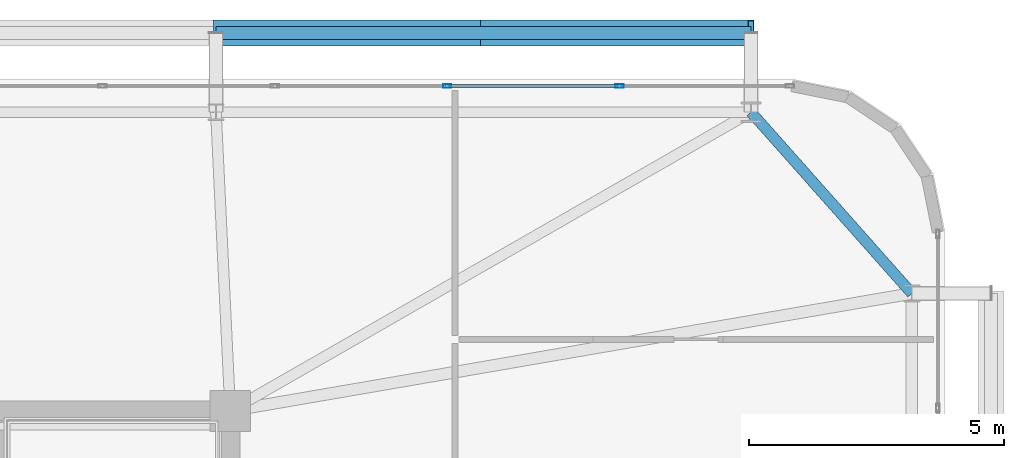
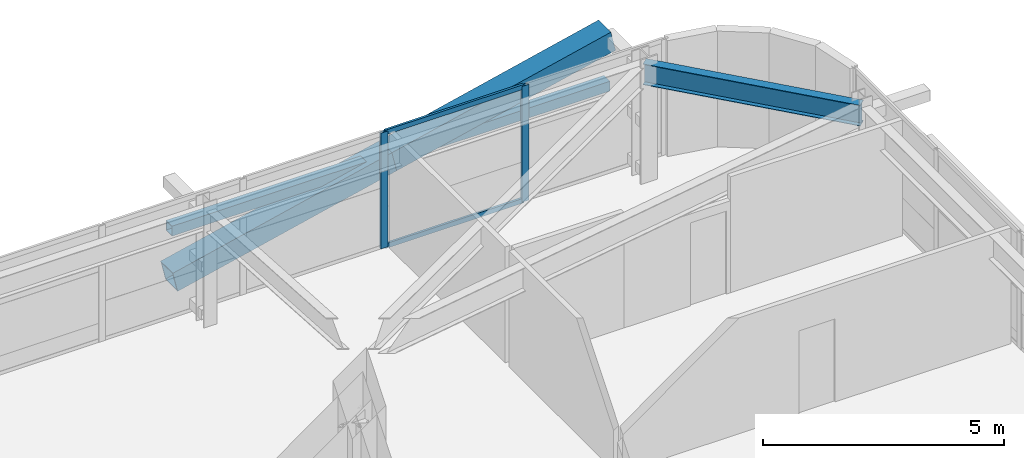
# One storey, part 40 of 59: 7 members, 1 beam, 1 element without a shape of its own.
"""IFC4 building model written with IfcOpenShell, lengths in metres."""

from ifc_helpers import new_model, si_unit, direction, frame, origin, origin_2d, place, context, subcontext, project, spatial, hollow_rectangle, i_section, extrude, source, transform, mapped, material, layer, layer_set, material_profile, profile_set, type_object, element, aggregate, save


model = new_model("IFC4")

# Units and contexts
model_context = context("Model", 3, precision=1e-05, world=origin(), true_north=direction((0.0, 1.0)))
body_context = subcontext(model_context, "Body", "Model", "MODEL_VIEW")
ifc_project = project(units=[si_unit("LENGTHUNIT", "METRE"), si_unit("AREAUNIT", "SQUARE_METRE"), si_unit("VOLUMEUNIT", "CUBIC_METRE"), si_unit("PLANEANGLEUNIT", "RADIAN"), si_unit("MASSUNIT", "GRAM", prefix="KILO")], contexts=[model_context])

# Site, building, storey
site_placement = place(None, origin())
site = spatial("IfcSite", under=ifc_project, at=site_placement, CompositionType="ELEMENT")
building_placement = place(site_placement, origin())
building = spatial("IfcBuilding", under=site, at=building_placement, Name="Taldren Reach Tower", CompositionType="ELEMENT")
storey_placement = place(building_placement, frame((0.0, 0.0, 23.10009765625)))
storey = spatial("IfcBuildingStorey", under=building, at=storey_placement, Name="L06", CompositionType="ELEMENT", Elevation=23.10009765625)

# Beam
ifc_material_1 = material(Name="Steel Gr 350 (350PLUS)", Category="steel")
ifc_material_profile_1 = material_profile(ifc_material_1, i_section(OverallWidth=0.208984375, OverallDepth=0.528076171875, WebThickness=0.009521484375, FlangeThickness=0.01318359375, at=origin_2d()), Name="530UB82.0")
ifc_profile_set_1 = profile_set([ifc_material_profile_1], Name="Steel Gr 350 (350PLUS)")
beam_type = type_object("IfcBeamType", Name="SP-UB530B", PredefinedType="SPANDREL", material=ifc_profile_set_1)
shared_shape_1 = source(origin(), body_context, "Body", "SweptSolid", [
    extrude(i_section(OverallWidth=0.208984375, OverallDepth=0.528076171875, WebThickness=0.009521484375, FlangeThickness=0.01318359375, at=origin_2d()), origin(), (0.0, 0.0, 1.0), 4.74609375),
])
beam_placement = place(storey_placement, frame((64.35009765625, 34.300048828125, 2.666015625), z_axis=(-0.663721843779, 0.747979487747, 0.0), x_axis=(-0.747979487747, -0.663721843779, 0.0)))
element("IfcBeam", 1, at=beam_placement, inside=storey, type_object=beam_type, Name="Perimeter spandrel B1 E3-N6 L06", PredefinedType="SPANDREL", context=body_context, shape_type="MappedRepresentation", body=[
    mapped(shared_shape_1, transform((0.0, 0.0, 0.0), scale=1.0)),
])

# Members
ifc_material_2 = material(Name="Steel Gr 450 (C450L0)", Category="steel")
ifc_material_profile_2 = material_profile(ifc_material_2, hollow_rectangle(XDim=0.510009765625, YDim=0.510009765625, WallThickness=0.02001953125, at=origin_2d()), Name="510x510x20.0SHS")
ifc_profile_set_2 = profile_set([ifc_material_profile_2], Name="Steel Gr 450 (C450L0)")
member_type_1 = type_object("IfcMemberType", Name="MB-EXO508", PredefinedType="BRACE", material=ifc_profile_set_2)
shared_shape_2 = source(origin(), body_context, "Body", "SweptSolid", [
    extrude(hollow_rectangle(XDim=0.510009765625, YDim=0.510009765625, WallThickness=0.02001953125, at=origin_2d()), origin(), (0.0, 0.0, 1.0), 5.37890625),
])
for number, where, z_axis, x_axis, name in (
    (2, (50.719970703125, 39.39990234375, 0.219970703125), (0.974161966843, 0.0, 0.225850531007), (0.0, 1.0, 0.0), "Exoskeleton Diagrid Brace B1-N5 L06"),
    (3, (55.9599609375, 39.39990234375, 1.434814453125), (0.97415197996, 0.0, 0.225893603143), (0.0, 1.0, 0.0), "Exoskeleton Diagrid Brace B1-N5 L06"),
):
    element("IfcMember", number, at=place(storey_placement, frame(where, z_axis=z_axis, x_axis=x_axis)), inside=storey, type_object=member_type_1, Name=name, PredefinedType="BRACE", context=body_context, shape_type="MappedRepresentation", body=[
        mapped(shared_shape_2, transform((0.0, 0.0, 0.0), scale=1.0)),
    ])
ifc_material_3 = material(Name="Steel Gr 350 (C350L0)", Category="steel")
ifc_material_profile_3 = material_profile(ifc_material_3, hollow_rectangle(XDim=0.25, YDim=0.25, WallThickness=0.010009765625, at=origin_2d()), Name="250x250x10.0SHS")
ifc_profile_set_3 = profile_set([ifc_material_profile_3], Name="Steel Gr 350 (C350L0)")
member_type_2 = type_object("IfcMemberType", Name="MB-POST250", PredefinedType="POST", material=ifc_profile_set_3)
shared_shape_3 = source(origin(), body_context, "Body", "SweptSolid", [
    extrude(hollow_rectangle(XDim=0.25, YDim=0.25, WallThickness=0.010009765625, at=origin_2d()), origin(), (0.0, 0.0, 1.0), 10.47998046875),
])
member_1_placement = place(storey_placement, frame((50.719970703125, 39.39990234375, 1.434814453125), z_axis=(1.0, 0.0, 0.0), x_axis=(0.0, 1.0, 0.0)))
element("IfcMember", 4, at=member_1_placement, inside=storey, type_object=member_type_2, Name="Exoskeleton mid-height ring chord B1-N5 L06", PredefinedType="POST", context=body_context, shape_type="MappedRepresentation", body=[
    mapped(shared_shape_3, transform((0.0, 0.0, 0.0), scale=1.0)),
])

# Curtain wall, members
ifc_material_4 = material(Name="Aluminium and Low-E Glass Unitised System", Category="aluminium")
ifc_layer = layer(ifc_material_4, 0.159912109375)
ifc_layer_set = layer_set([ifc_layer], Name="Aluminium and Low-E Glass Unitised System")
curtain_wall_type = type_object("IfcCurtainWallType", Name="CW-SYS-2", PredefinedType="NOTDEFINED", material=ifc_layer_set)
curtain_wall_placement = place(storey_placement, origin())
curtain_wall = element("IfcCurtainWall", 5, at=curtain_wall_placement, inside=storey, type_object=curtain_wall_type, Name="Unitised curtain wall CW-L06-N", PredefinedType="NOTDEFINED")
ifc_material_5 = material(Name="Anodised Aluminium 6063-T6", Category="aluminium")
ifc_material_profile_4 = material_profile(ifc_material_5, hollow_rectangle(XDim=0.06494140625, YDim=0.1650390625, WallThickness=0.00390625, at=origin_2d()), Name="ALU-165x65x4RHS")
ifc_profile_set_4 = profile_set([ifc_material_profile_4], Name="Anodised Aluminium 6063-T6")
member_type_3 = type_object("IfcMemberType", Name="CW-MUL-165", PredefinedType="MULLION", material=ifc_profile_set_4)
shared_shape_4 = source(origin(), body_context, "Body", "SweptSolid", [
    extrude(hollow_rectangle(XDim=0.06494140625, YDim=0.1650390625, WallThickness=0.00390625, at=origin_2d()), origin(), (0.0, 0.0, 1.0), 2.929931640625),
])
member_2_placement = place(storey_placement, frame((58.625, 38.360107421875, 0.0), z_axis=(0.0, 0.0, 1.0), x_axis=(0.0, -1.0, 0.0)))
member_2 = element("IfcMember", 6, at=member_2_placement, type_object=member_type_3, Name="CW-2 mullion 2", PredefinedType="MULLION", context=body_context, shape_type="MappedRepresentation", body=[
    mapped(shared_shape_4, transform((0.0, 0.0, 0.0), scale=1.0)),
])
member_3_placement = place(storey_placement, frame((55.25, 38.360107421875, 0.0), z_axis=(0.0, 0.0, 1.0), x_axis=(0.0, -1.0, 0.0)))
member_3 = element("IfcMember", 7, at=member_3_placement, type_object=member_type_3, Name="CW-2 mullion 3", PredefinedType="MULLION", context=body_context, shape_type="MappedRepresentation", body=[
    mapped(shared_shape_4, transform((0.0, 0.0, 0.0), scale=1.0)),
])
ifc_material_profile_5 = material_profile(ifc_material_5, hollow_rectangle(XDim=0.054931640625, YDim=0.1201171875, WallThickness=0.0029296875, at=origin_2d()), Name="ALU-120x55x3RHS")
ifc_profile_set_5 = profile_set([ifc_material_profile_5], Name="Anodised Aluminium 6063-T6")
member_type_4 = type_object("IfcMemberType", Name="CW-TRN-135", PredefinedType="USERDEFINED", material=ifc_profile_set_5)
shared_shape_5 = source(origin(), body_context, "Body", "SweptSolid", [
    extrude(hollow_rectangle(XDim=0.054931640625, YDim=0.1201171875, WallThickness=0.0029296875, at=origin_2d()), origin(), (0.0, 0.0, 1.0), 3.31005859375),
])
member_4_placement = place(storey_placement, frame((58.592529296875, 38.360107421875, 0.02734375), z_axis=(-1.0, 0.0, 0.0), x_axis=(0.0, -1.0, 0.0)))
member_4 = element("IfcMember", 8, at=member_4_placement, type_object=member_type_4, Name="CW-2 transom 2.1", ObjectType="TRANSOM", PredefinedType="USERDEFINED", context=body_context, shape_type="MappedRepresentation", body=[
    mapped(shared_shape_5, transform((0.0, 0.0, 0.0), scale=1.0)),
])
member_5_placement = place(storey_placement, frame((58.592529296875, 38.360107421875, 2.90234375), z_axis=(-1.0, 0.0, 0.0), x_axis=(0.0, -1.0, 0.0)))
member_5 = element("IfcMember", 9, at=member_5_placement, type_object=member_type_4, Name="CW-2 transom 2.2", ObjectType="TRANSOM", PredefinedType="USERDEFINED", context=body_context, shape_type="MappedRepresentation", body=[
    mapped(shared_shape_5, transform((0.0, 0.0, 0.0), scale=1.0)),
])
aggregate(curtain_wall, [member_2, member_3, member_4, member_5])

save(model, "model.ifc")
